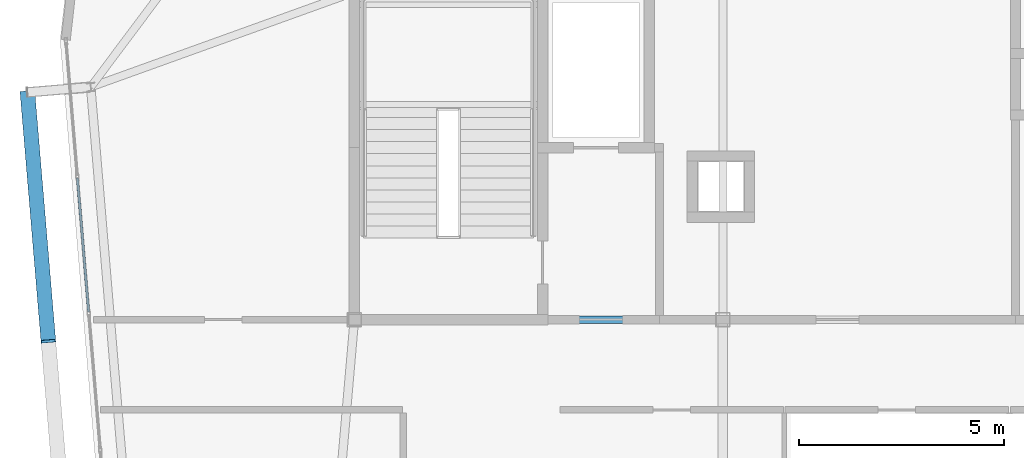
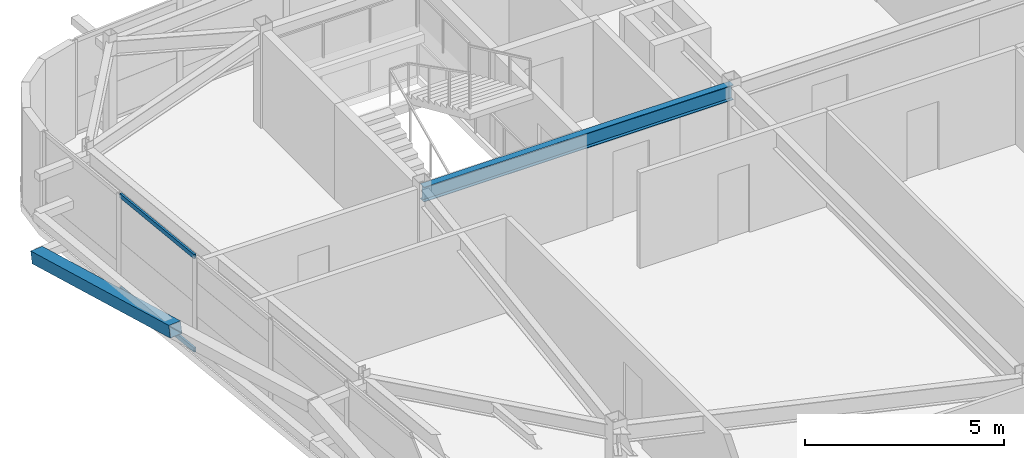
# One storey, part 16 of 46: 3 members, 1 beam, 1 element without a shape of its own.
"""IFC4 building model written with IfcOpenShell, lengths in metres."""

import ifcopenshell
import ifcopenshell.guid

model = None  # the IFC model being written
_history = None  # IfcOwnerHistory: only IFC2X3 demands one
_inside = {}  # id of a spatial element -> (the spatial element, [elements in it])
_under = {}  # id of a project, library or spatial element -> (it, [spatial elements below it])
_declared = {}  # id of a project -> (the project, [libraries it declares])
_typed = {}  # id of a type object -> (the type object, [elements of that type])
_made_of = {}  # id of a material, layer set ... -> (it, [elements and type objects made of it])


def new_model(schema):
    """Start an empty IFC model of exactly this schema.

    Asked for "IFC4X3", IfcOpenShell would pick the latest addendum, in which some entities
    have other attributes; the version numbers below select the first issue.
    IFC2X3 requires an IfcOwnerHistory on every rooted entity: one is made here for all.
    """
    global model, _history
    if schema == "IFC4X3":
        model = ifcopenshell.file(schema_version=(4, 3, 0, 0))
    else:
        model = ifcopenshell.file(schema=schema)
    _inside.clear()
    _under.clear()
    _declared.clear()
    _typed.clear()
    _made_of.clear()
    _history = None
    if model.schema == "IFC2X3":
        org = make("IfcOrganization", Name="unknown")
        user = make(
            "IfcPersonAndOrganization",
            ThePerson=make("IfcPerson", FamilyName="unknown"),
            TheOrganization=org,
        )
        app = make(
            "IfcApplication",
            ApplicationDeveloper=org,
            Version="unknown",
            ApplicationFullName="unknown",
            ApplicationIdentifier="unknown",
        )
        _history = make(
            "IfcOwnerHistory",
            OwningUser=user,
            OwningApplication=app,
            ChangeAction="ADDED",
            CreationDate=0,
        )
    return model


def make(cls, **values):
    """One entity of the class cls with the attributes given. An attribute that is None is left unset."""
    return model.create_entity(
        cls, **{name: value for name, value in values.items() if value is not None}
    )


def rooted(cls, **values):
    """An entity with a GlobalId (a new one), such as an element, a storey or a relation."""
    return make(cls, GlobalId=ifcopenshell.guid.new(), OwnerHistory=_history, **values)


def si_unit(unit_type, name, prefix=None):
    """IfcSIUnit, for example si_unit("LENGTHUNIT", "METRE", prefix="MILLI")."""
    return make("IfcSIUnit", UnitType=unit_type, Prefix=prefix, Name=name)


def assignment(units):
    """IfcUnitAssignment: the units of a project."""
    return None if units is None else make("IfcUnitAssignment", Units=units)


def point(xyz):
    """IfcCartesianPoint."""
    return None if xyz is None else make("IfcCartesianPoint", Coordinates=xyz)


def direction(xyz):
    """IfcDirection."""
    return None if xyz is None else make("IfcDirection", DirectionRatios=xyz)


def frame(location, z_axis=None, x_axis=None):
    """IfcAxis2Placement3D, a coordinate frame: its origin and axes. An axis left out is left unset."""
    return make(
        "IfcAxis2Placement3D",
        Location=point(location),
        Axis=direction(z_axis),
        RefDirection=direction(x_axis),
    )


def frame_2d(location, x_axis=None):
    """IfcAxis2Placement2D, a coordinate frame in the plane: its origin and x axis."""
    return make(
        "IfcAxis2Placement2D", Location=point(location), RefDirection=direction(x_axis)
    )


def origin():
    """The frame at (0, 0, 0) with its axes left unset."""
    return frame((0.0, 0.0, 0.0))


def origin_2d():
    """The frame at (0, 0) in the plane with its x axis left unset."""
    return frame_2d((0.0, 0.0))


def place(relative_to, where):
    """IfcLocalPlacement: puts the frame where relative to a parent placement (None: the world)."""
    return make(
        "IfcLocalPlacement", PlacementRelTo=relative_to, RelativePlacement=where
    )


def context(
    kind, dimensions, precision=None, world=None, true_north=None, identifier=None
):
    """IfcGeometricRepresentationContext, for example the 3D "Model" context."""
    return make(
        "IfcGeometricRepresentationContext",
        ContextIdentifier=identifier,
        ContextType=kind,
        CoordinateSpaceDimension=dimensions,
        Precision=precision,
        WorldCoordinateSystem=world,
        TrueNorth=true_north,
    )


def subcontext(parent, identifier, kind, view, scale=None):
    """IfcGeometricRepresentationSubContext, for example "Body" below "Model"."""
    return make(
        "IfcGeometricRepresentationSubContext",
        ContextIdentifier=identifier,
        ContextType=kind,
        ParentContext=parent,
        TargetScale=scale,
        TargetView=view,
    )


def project(units=None, contexts=None):
    """IfcProject with its units and contexts."""
    return rooted(
        "IfcProject",
        Name="project",
        RepresentationContexts=contexts,
        UnitsInContext=assignment(units),
    )


def spatial(cls, under=None, at=None, **own):
    """A site, building, storey or space (cls), placed at a placement, below another one or the project."""
    s = rooted(cls, ObjectPlacement=at, **own)
    if under is not None:
        _under.setdefault(under.id(), (under, []))[1].append(s)
    return s


def profile(cls, at=None, kind="AREA", **sizes):
    """A parametric profile (cls). Its sizes go by their IFC names, for example OverallWidth=200.0."""
    return make(cls, ProfileType=kind, Position=at, **sizes)


def hollow_rectangle(**sizes):
    """IfcRectangleHollowProfileDef."""
    return profile("IfcRectangleHollowProfileDef", **sizes)


def i_section(**sizes):
    """IfcIShapeProfileDef."""
    return profile("IfcIShapeProfileDef", **sizes)


def extrude(swept, where, along, depth):
    """IfcExtrudedAreaSolid: the profile swept, set in the frame where, extruded along a direction by depth."""
    return make(
        "IfcExtrudedAreaSolid",
        SweptArea=swept,
        Position=where,
        ExtrudedDirection=direction(along),
        Depth=depth,
    )


def shape(context_of_items, identifier, shape_type, items):
    """IfcShapeRepresentation: the items that make up one representation, for example the "Body"."""
    return make(
        "IfcShapeRepresentation",
        ContextOfItems=context_of_items,
        RepresentationIdentifier=identifier,
        RepresentationType=shape_type,
        Items=items,
    )


def source(mapping_origin, context_of_items, identifier, shape_type, items):
    """IfcRepresentationMap: a shape defined once, which mapped items show again and again."""
    return make(
        "IfcRepresentationMap",
        MappingOrigin=mapping_origin,
        MappedRepresentation=shape(context_of_items, identifier, shape_type, items),
    )


def transform(
    local_origin,
    x_axis=None,
    y_axis=None,
    z_axis=None,
    scale=None,
    scale2=None,
    scale3=None,
    uniform=True,
):
    """IfcCartesianTransformationOperator3D, or its non-uniform kind. x_axis, y_axis, z_axis: its Axis1, 2, 3."""
    if uniform:
        return make(
            "IfcCartesianTransformationOperator3D",
            Axis1=direction(x_axis),
            Axis2=direction(y_axis),
            LocalOrigin=point(local_origin),
            Scale=scale,
            Axis3=direction(z_axis),
        )
    return make(
        "IfcCartesianTransformationOperator3DnonUniform",
        Axis1=direction(x_axis),
        Axis2=direction(y_axis),
        LocalOrigin=point(local_origin),
        Scale=scale,
        Axis3=direction(z_axis),
        Scale2=scale2,
        Scale3=scale3,
    )


def mapped(mapping_source, mapping_target):
    """IfcMappedItem: shows the shape of a source again, moved by a transform."""
    return make(
        "IfcMappedItem", MappingSource=mapping_source, MappingTarget=mapping_target
    )


def material(Name=None, Category=None):
    """IfcMaterial."""
    return make("IfcMaterial", Name=Name, Category=Category)


def layer(
    of_material, thickness, ventilated=None, Name=None, Category=None, Priority=None
):
    """IfcMaterialLayer: one layer of a wall or slab, of a material (None: an air gap)."""
    return make(
        "IfcMaterialLayer",
        Material=of_material,
        LayerThickness=thickness,
        IsVentilated=ventilated,
        Name=Name,
        Category=Category,
        Priority=Priority,
    )


def layer_set(layers, Name=None):
    """IfcMaterialLayerSet."""
    return make("IfcMaterialLayerSet", MaterialLayers=layers, LayerSetName=Name)


def material_profile(
    of_material, cross_section, Name=None, Category=None, Priority=None
):
    """IfcMaterialProfile: a cross section and its material."""
    return make(
        "IfcMaterialProfile",
        Name=Name,
        Material=of_material,
        Profile=cross_section,
        Priority=Priority,
        Category=Category,
    )


def profile_set(profiles, Name=None, composite=None):
    """IfcMaterialProfileSet."""
    return make(
        "IfcMaterialProfileSet",
        Name=Name,
        MaterialProfiles=profiles,
        CompositeProfile=composite,
    )


def made_of(thing, what):
    """Note that an element or type object is made of a material, layer set ...; save() writes the relation."""
    if what is not None:
        _made_of.setdefault(what.id(), (what, []))[1].append(thing)
    return thing


def type_object(cls, material=None, **own):
    """A type object (cls), such as IfcWallType, which elements share."""
    return made_of(rooted(cls, **own), material)


def element(
    cls,
    number,
    at=None,
    inside=None,
    cuts=None,
    type_object=None,
    material=None,
    context=None,
    identifier="Body",
    shape_type=None,
    held_by="IfcProductDefinitionShape",
    body=None,
    shapes=None,
    **own,
):
    """One element of the class cls, such as IfcWall. Its Tag is "e" and its number.

    at: its placement. inside: the storey or other place that contains it. cuts: it is an
    opening in that element (IfcRelVoidsElement). A single representation is given by context,
    identifier, shape_type and body (its items); several are given by shapes. held_by: the class
    of the entity that holds the representations. save() writes the other relations.
    """
    e = rooted(cls, Tag="e%d" % number, ObjectPlacement=at, **own)
    if body is not None:
        shapes = [shape(context, identifier, shape_type, body)]
    if shapes is not None:
        e.Representation = make(held_by, Representations=shapes)
    if inside is not None:
        _inside.setdefault(inside.id(), (inside, []))[1].append(e)
    if cuts is not None:
        rooted(
            "IfcRelVoidsElement", RelatingBuildingElement=cuts, RelatedOpeningElement=e
        )
    if type_object is not None:
        _typed.setdefault(type_object.id(), (type_object, []))[1].append(e)
    return made_of(e, material)


def aggregate(whole, parts):
    """IfcRelAggregates: a whole, such as a stair, and the parts it consists of."""
    return rooted("IfcRelAggregates", RelatingObject=whole, RelatedObjects=parts)


def save(model, path):
    """Write the relations noted so far, then the file.

    IfcRelAggregates (storeys below a building ...), IfcRelContainedInSpatialStructure (elements
    in a storey), IfcRelDefinesByType, IfcRelAssociatesMaterial and IfcRelDeclares: one each for
    every whole, place, type object, material and project.
    """
    for whole, parts in _under.values():
        aggregate(whole, parts)
    for where, things in _inside.values():
        rooted(
            "IfcRelContainedInSpatialStructure",
            RelatedElements=things,
            RelatingStructure=where,
        )
    for kind, things in _typed.values():
        rooted("IfcRelDefinesByType", RelatedObjects=things, RelatingType=kind)
    for what, things in _made_of.values():
        rooted("IfcRelAssociatesMaterial", RelatedObjects=things, RelatingMaterial=what)
    for by, libraries in _declared.values():
        rooted("IfcRelDeclares", RelatingContext=by, RelatedDefinitions=libraries)
    model.write(path)


model = new_model("IFC4")

# Units and contexts
model_context = context("Model", 3, precision=1e-05, world=origin(), true_north=direction((0.0, 1.0)))
body_context = subcontext(model_context, "Body", "Model", "MODEL_VIEW")
ifc_project = project(units=[si_unit("LENGTHUNIT", "METRE"), si_unit("AREAUNIT", "SQUARE_METRE"), si_unit("VOLUMEUNIT", "CUBIC_METRE"), si_unit("PLANEANGLEUNIT", "RADIAN"), si_unit("MASSUNIT", "GRAM", prefix="KILO")], contexts=[model_context])

# Site, building, storey
site_placement = place(None, origin())
site = spatial("IfcSite", under=ifc_project, at=site_placement, CompositionType="ELEMENT")
building_placement = place(site_placement, origin())
building = spatial("IfcBuilding", under=site, at=building_placement, Name="Taldren Reach Tower", CompositionType="ELEMENT")
storey_placement = place(building_placement, frame((0.0, 0.0, 185.14990234375)))
storey = spatial("IfcBuildingStorey", under=building, at=storey_placement, Name="L56", CompositionType="ELEMENT", Elevation=185.14990234375)

# Beam
ifc_material_1 = material(Name="Steel Gr 350 (350PLUS)", Category="steel")
ifc_material_profile_1 = material_profile(ifc_material_1, i_section(OverallWidth=0.19091796875, OverallDepth=0.4599609375, WebThickness=0.010009765625, FlangeThickness=0.01611328125, at=origin_2d()), Name="460UB82.1")
ifc_profile_set_1 = profile_set([ifc_material_profile_1], Name="Steel Gr 350 (350PLUS)")
beam_type = type_object("IfcBeamType", Name="BM-UB460A", PredefinedType="BEAM", material=ifc_profile_set_1)
shared_shape_1 = source(origin(), body_context, "Body", "SweptSolid", [
    extrude(i_section(OverallWidth=0.19091796875, OverallDepth=0.4599609375, WebThickness=0.010009765625, FlangeThickness=0.01611328125, at=origin_2d()), origin(), (0.0, 0.0, 1.0), 9.0),
])
beam_placement = place(storey_placement, frame((19.0, 24.0, 2.7001953125), z_axis=(1.0, 0.0, 0.0), x_axis=(0.0, 1.0, 0.0)))
element("IfcBeam", 1, at=beam_placement, inside=storey, type_object=beam_type, Name="Core-spine girder L56-SP01", PredefinedType="BEAM", context=body_context, shape_type="MappedRepresentation", body=[
    mapped(shared_shape_1, transform((0.0, 0.0, 0.0), scale=1.0)),
])

# Member
ifc_material_2 = material(Name="Steel Gr 450 (C450L0)", Category="steel")
ifc_material_profile_2 = material_profile(ifc_material_2, hollow_rectangle(XDim=0.360107421875, YDim=0.360107421875, WallThickness=0.0126953125, at=origin_2d()), Name="360x360x12.7SHS")
ifc_profile_set_2 = profile_set([ifc_material_profile_2], Name="Steel Gr 450 (C450L0)")
member_type_1 = type_object("IfcMemberType", Name="MB-EXO356", PredefinedType="BRACE", material=ifc_profile_set_2)
shared_shape_2 = source(origin(), body_context, "Body", "SweptSolid", [
    extrude(hollow_rectangle(XDim=0.360107421875, YDim=0.360107421875, WallThickness=0.0126953125, at=origin_2d()), origin(), (0.0, 0.0, 1.0), 6.2197265625),
])
member_1_placement = place(storey_placement, frame((11.017333984375, 29.552734375, 0.22021484375), z_axis=(0.082076194186, -0.977299417909, 0.19531857593), x_axis=(0.996492003099, 0.083688038336, 0.0)))
element("IfcMember", 2, at=member_1_placement, inside=storey, type_object=member_type_1, Name="Exoskeleton Diagrid Brace B4-W2 L56", PredefinedType="BRACE", context=body_context, shape_type="MappedRepresentation", body=[
    mapped(shared_shape_2, transform((0.0, 0.0, 0.0), scale=1.0)),
])

# Curtain wall, members
ifc_material_3 = material(Name="Aluminium and Low-E Glass Unitised System", Category="aluminium")
ifc_layer = layer(ifc_material_3, 0.159912109375)
ifc_layer_set = layer_set([ifc_layer], Name="Aluminium and Low-E Glass Unitised System")
curtain_wall_type = type_object("IfcCurtainWallType", Name="CW-SYS-5", PredefinedType="NOTDEFINED", material=ifc_layer_set)
curtain_wall_placement = place(storey_placement, origin())
curtain_wall = element("IfcCurtainWall", 3, at=curtain_wall_placement, inside=storey, type_object=curtain_wall_type, Name="Unitised curtain wall CW-L56-W", PredefinedType="NOTDEFINED")
ifc_material_4 = material(Name="Anodised Aluminium 6063-T6", Category="aluminium")
ifc_material_profile_3 = material_profile(ifc_material_4, hollow_rectangle(XDim=0.06005859375, YDim=0.135009765625, WallThickness=0.00341796875, at=origin_2d()), Name="ALU-135x60x3.5RHS")
ifc_profile_set_3 = profile_set([ifc_material_profile_3], Name="Anodised Aluminium 6063-T6")
member_type_2 = type_object("IfcMemberType", Name="CW-TRN-150", PredefinedType="USERDEFINED", material=ifc_profile_set_3)
shared_shape_3 = source(origin(), body_context, "Body", "SweptSolid", [
    extrude(hollow_rectangle(XDim=0.06005859375, YDim=0.135009765625, WallThickness=0.00341796875, at=origin_2d()), origin(), (0.0, 0.0, 1.0), 3.280029296875),
])
member_2_placement = place(storey_placement, frame((12.236572265625, 27.46240234375, 0.030029296875), z_axis=(0.083661452101, -0.996494235524, 0.0), x_axis=(0.996494235524, 0.083661452101, 0.0)))
member_2 = element("IfcMember", 4, at=member_2_placement, type_object=member_type_2, Name="CW-5 transom 2.1", ObjectType="TRANSOM", PredefinedType="USERDEFINED", context=body_context, shape_type="MappedRepresentation", body=[
    mapped(shared_shape_3, transform((0.0, 0.0, 0.0), scale=1.0)),
])
member_3_placement = place(storey_placement, frame((12.236572265625, 27.46240234375, 2.900146484375), z_axis=(0.083661452101, -0.996494235524, 0.0), x_axis=(0.996494235524, 0.083661452101, 0.0)))
member_3 = element("IfcMember", 5, at=member_3_placement, type_object=member_type_2, Name="CW-5 transom 2.2", ObjectType="TRANSOM", PredefinedType="USERDEFINED", context=body_context, shape_type="MappedRepresentation", body=[
    mapped(shared_shape_3, transform((0.0, 0.0, 0.0), scale=1.0)),
])
aggregate(curtain_wall, [member_2, member_3])

save(model, "model.ifc")
